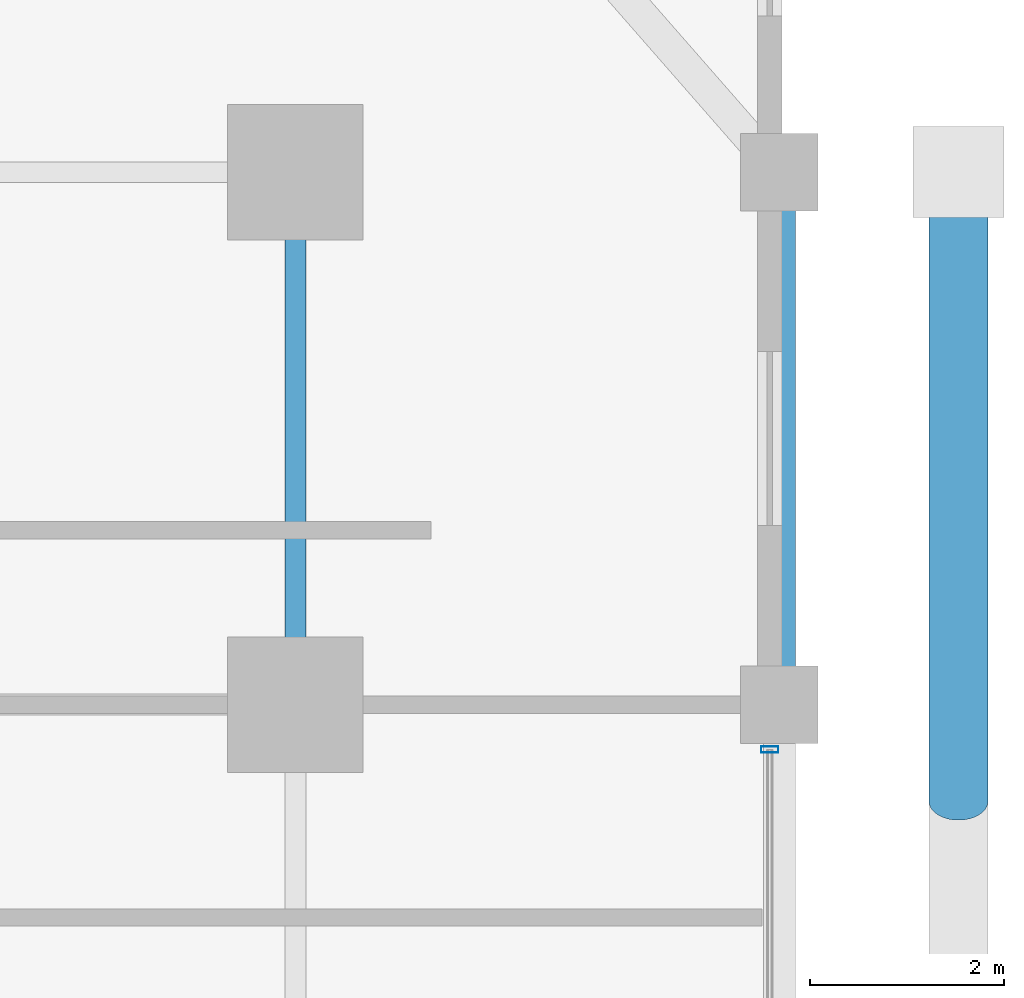
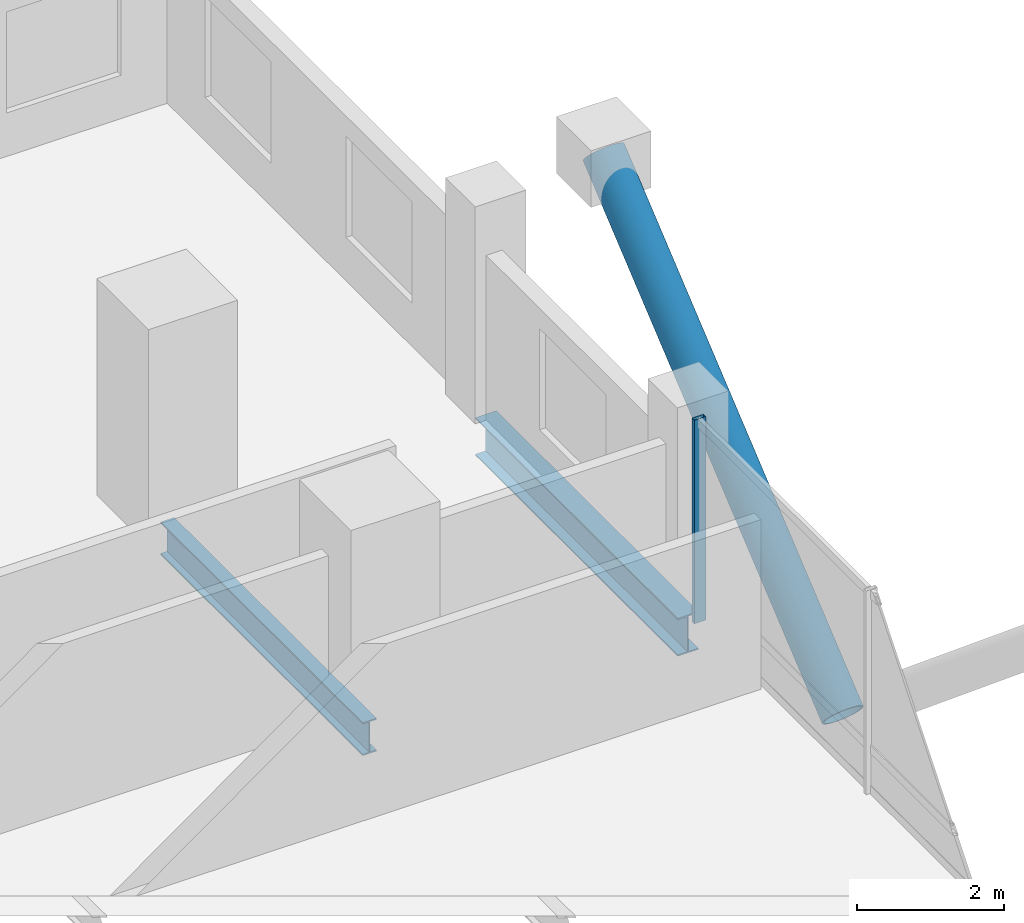
# One storey, part 15 of 21: 2 beams, 2 members, 1 element without a shape of its own.
"""IFC4 building model written with IfcOpenShell, lengths in metres."""

import ifcopenshell
import ifcopenshell.guid

model = None  # the IFC model being written
_history = None  # IfcOwnerHistory: only IFC2X3 demands one
_inside = {}  # id of a spatial element -> (the spatial element, [elements in it])
_under = {}  # id of a project, library or spatial element -> (it, [spatial elements below it])
_declared = {}  # id of a project -> (the project, [libraries it declares])
_typed = {}  # id of a type object -> (the type object, [elements of that type])
_made_of = {}  # id of a material, layer set ... -> (it, [elements and type objects made of it])


def new_model(schema):
    """Start an empty IFC model of exactly this schema.

    Asked for "IFC4X3", IfcOpenShell would pick the latest addendum, in which some entities
    have other attributes; the version numbers below select the first issue.
    IFC2X3 requires an IfcOwnerHistory on every rooted entity: one is made here for all.
    """
    global model, _history
    if schema == "IFC4X3":
        model = ifcopenshell.file(schema_version=(4, 3, 0, 0))
    else:
        model = ifcopenshell.file(schema=schema)
    _inside.clear()
    _under.clear()
    _declared.clear()
    _typed.clear()
    _made_of.clear()
    _history = None
    if model.schema == "IFC2X3":
        org = make("IfcOrganization", Name="unknown")
        user = make(
            "IfcPersonAndOrganization",
            ThePerson=make("IfcPerson", FamilyName="unknown"),
            TheOrganization=org,
        )
        app = make(
            "IfcApplication",
            ApplicationDeveloper=org,
            Version="unknown",
            ApplicationFullName="unknown",
            ApplicationIdentifier="unknown",
        )
        _history = make(
            "IfcOwnerHistory",
            OwningUser=user,
            OwningApplication=app,
            ChangeAction="ADDED",
            CreationDate=0,
        )
    return model


def make(cls, **values):
    """One entity of the class cls with the attributes given. An attribute that is None is left unset."""
    return model.create_entity(
        cls, **{name: value for name, value in values.items() if value is not None}
    )


def rooted(cls, **values):
    """An entity with a GlobalId (a new one), such as an element, a storey or a relation."""
    return make(cls, GlobalId=ifcopenshell.guid.new(), OwnerHistory=_history, **values)


def si_unit(unit_type, name, prefix=None):
    """IfcSIUnit, for example si_unit("LENGTHUNIT", "METRE", prefix="MILLI")."""
    return make("IfcSIUnit", UnitType=unit_type, Prefix=prefix, Name=name)


def assignment(units):
    """IfcUnitAssignment: the units of a project."""
    return None if units is None else make("IfcUnitAssignment", Units=units)


def point(xyz):
    """IfcCartesianPoint."""
    return None if xyz is None else make("IfcCartesianPoint", Coordinates=xyz)


def direction(xyz):
    """IfcDirection."""
    return None if xyz is None else make("IfcDirection", DirectionRatios=xyz)


def frame(location, z_axis=None, x_axis=None):
    """IfcAxis2Placement3D, a coordinate frame: its origin and axes. An axis left out is left unset."""
    return make(
        "IfcAxis2Placement3D",
        Location=point(location),
        Axis=direction(z_axis),
        RefDirection=direction(x_axis),
    )


def frame_2d(location, x_axis=None):
    """IfcAxis2Placement2D, a coordinate frame in the plane: its origin and x axis."""
    return make(
        "IfcAxis2Placement2D", Location=point(location), RefDirection=direction(x_axis)
    )


def origin():
    """The frame at (0, 0, 0) with its axes left unset."""
    return frame((0.0, 0.0, 0.0))


def origin_2d():
    """The frame at (0, 0) in the plane with its x axis left unset."""
    return frame_2d((0.0, 0.0))


def place(relative_to, where):
    """IfcLocalPlacement: puts the frame where relative to a parent placement (None: the world)."""
    return make(
        "IfcLocalPlacement", PlacementRelTo=relative_to, RelativePlacement=where
    )


def context(
    kind, dimensions, precision=None, world=None, true_north=None, identifier=None
):
    """IfcGeometricRepresentationContext, for example the 3D "Model" context."""
    return make(
        "IfcGeometricRepresentationContext",
        ContextIdentifier=identifier,
        ContextType=kind,
        CoordinateSpaceDimension=dimensions,
        Precision=precision,
        WorldCoordinateSystem=world,
        TrueNorth=true_north,
    )


def subcontext(parent, identifier, kind, view, scale=None):
    """IfcGeometricRepresentationSubContext, for example "Body" below "Model"."""
    return make(
        "IfcGeometricRepresentationSubContext",
        ContextIdentifier=identifier,
        ContextType=kind,
        ParentContext=parent,
        TargetScale=scale,
        TargetView=view,
    )


def project(units=None, contexts=None):
    """IfcProject with its units and contexts."""
    return rooted(
        "IfcProject",
        Name="project",
        RepresentationContexts=contexts,
        UnitsInContext=assignment(units),
    )


def spatial(cls, under=None, at=None, **own):
    """A site, building, storey or space (cls), placed at a placement, below another one or the project."""
    s = rooted(cls, ObjectPlacement=at, **own)
    if under is not None:
        _under.setdefault(under.id(), (under, []))[1].append(s)
    return s


def profile(cls, at=None, kind="AREA", **sizes):
    """A parametric profile (cls). Its sizes go by their IFC names, for example OverallWidth=200.0."""
    return make(cls, ProfileType=kind, Position=at, **sizes)


def hollow_rectangle(**sizes):
    """IfcRectangleHollowProfileDef."""
    return profile("IfcRectangleHollowProfileDef", **sizes)


def hollow_circle(**sizes):
    """IfcCircleHollowProfileDef."""
    return profile("IfcCircleHollowProfileDef", **sizes)


def i_section(**sizes):
    """IfcIShapeProfileDef."""
    return profile("IfcIShapeProfileDef", **sizes)


def extrude(swept, where, along, depth):
    """IfcExtrudedAreaSolid: the profile swept, set in the frame where, extruded along a direction by depth."""
    return make(
        "IfcExtrudedAreaSolid",
        SweptArea=swept,
        Position=where,
        ExtrudedDirection=direction(along),
        Depth=depth,
    )


def shape(context_of_items, identifier, shape_type, items):
    """IfcShapeRepresentation: the items that make up one representation, for example the "Body"."""
    return make(
        "IfcShapeRepresentation",
        ContextOfItems=context_of_items,
        RepresentationIdentifier=identifier,
        RepresentationType=shape_type,
        Items=items,
    )


def material(Name=None, Category=None):
    """IfcMaterial."""
    return make("IfcMaterial", Name=Name, Category=Category)


def layer(
    of_material, thickness, ventilated=None, Name=None, Category=None, Priority=None
):
    """IfcMaterialLayer: one layer of a wall or slab, of a material (None: an air gap)."""
    return make(
        "IfcMaterialLayer",
        Material=of_material,
        LayerThickness=thickness,
        IsVentilated=ventilated,
        Name=Name,
        Category=Category,
        Priority=Priority,
    )


def layer_set(layers, Name=None):
    """IfcMaterialLayerSet."""
    return make("IfcMaterialLayerSet", MaterialLayers=layers, LayerSetName=Name)


def material_profile(
    of_material, cross_section, Name=None, Category=None, Priority=None
):
    """IfcMaterialProfile: a cross section and its material."""
    return make(
        "IfcMaterialProfile",
        Name=Name,
        Material=of_material,
        Profile=cross_section,
        Priority=Priority,
        Category=Category,
    )


def profile_set(profiles, Name=None, composite=None):
    """IfcMaterialProfileSet."""
    return make(
        "IfcMaterialProfileSet",
        Name=Name,
        MaterialProfiles=profiles,
        CompositeProfile=composite,
    )


def made_of(thing, what):
    """Note that an element or type object is made of a material, layer set ...; save() writes the relation."""
    if what is not None:
        _made_of.setdefault(what.id(), (what, []))[1].append(thing)
    return thing


def type_object(cls, material=None, **own):
    """A type object (cls), such as IfcWallType, which elements share."""
    return made_of(rooted(cls, **own), material)


def element(
    cls,
    number,
    at=None,
    inside=None,
    cuts=None,
    type_object=None,
    material=None,
    context=None,
    identifier="Body",
    shape_type=None,
    held_by="IfcProductDefinitionShape",
    body=None,
    shapes=None,
    **own,
):
    """One element of the class cls, such as IfcWall. Its Tag is "e" and its number.

    at: its placement. inside: the storey or other place that contains it. cuts: it is an
    opening in that element (IfcRelVoidsElement). A single representation is given by context,
    identifier, shape_type and body (its items); several are given by shapes. held_by: the class
    of the entity that holds the representations. save() writes the other relations.
    """
    e = rooted(cls, Tag="e%d" % number, ObjectPlacement=at, **own)
    if body is not None:
        shapes = [shape(context, identifier, shape_type, body)]
    if shapes is not None:
        e.Representation = make(held_by, Representations=shapes)
    if inside is not None:
        _inside.setdefault(inside.id(), (inside, []))[1].append(e)
    if cuts is not None:
        rooted(
            "IfcRelVoidsElement", RelatingBuildingElement=cuts, RelatedOpeningElement=e
        )
    if type_object is not None:
        _typed.setdefault(type_object.id(), (type_object, []))[1].append(e)
    return made_of(e, material)


def aggregate(whole, parts):
    """IfcRelAggregates: a whole, such as a stair, and the parts it consists of."""
    return rooted("IfcRelAggregates", RelatingObject=whole, RelatedObjects=parts)


def save(model, path):
    """Write the relations noted so far, then the file.

    IfcRelAggregates (storeys below a building ...), IfcRelContainedInSpatialStructure (elements
    in a storey), IfcRelDefinesByType, IfcRelAssociatesMaterial and IfcRelDeclares: one each for
    every whole, place, type object, material and project.
    """
    for whole, parts in _under.values():
        aggregate(whole, parts)
    for where, things in _inside.values():
        rooted(
            "IfcRelContainedInSpatialStructure",
            RelatedElements=things,
            RelatingStructure=where,
        )
    for kind, things in _typed.values():
        rooted("IfcRelDefinesByType", RelatedObjects=things, RelatingType=kind)
    for what, things in _made_of.values():
        rooted("IfcRelAssociatesMaterial", RelatedObjects=things, RelatingMaterial=what)
    for by, libraries in _declared.values():
        rooted("IfcRelDeclares", RelatingContext=by, RelatedDefinitions=libraries)
    model.write(path)


model = new_model("IFC4")

# Units and contexts
model_context = context("Model", 3, precision=1e-05, world=origin(), true_north=direction((0.0, 1.0)))
body_context = subcontext(model_context, "Body", "Model", "MODEL_VIEW")
ifc_project = project(units=[si_unit("LENGTHUNIT", "METRE"), si_unit("AREAUNIT", "SQUARE_METRE"), si_unit("VOLUMEUNIT", "CUBIC_METRE"), si_unit("PLANEANGLEUNIT", "RADIAN"), si_unit("MASSUNIT", "GRAM", prefix="KILO")], contexts=[model_context])

# Site, building, storey
site_placement = place(None, origin())
site = spatial("IfcSite", under=ifc_project, at=site_placement, CompositionType="ELEMENT")
building_placement = place(site_placement, origin())
building = spatial("IfcBuilding", under=site, at=building_placement, Name="Barlavira Tower and Art Museum", CompositionType="ELEMENT")
storey_placement = place(building_placement, frame((0.0, 0.0, 79.199951171875)))
storey = spatial("IfcBuildingStorey", under=building, at=storey_placement, Name="L19", CompositionType="ELEMENT", Elevation=79.199951171875)

# Curtain wall, member
ifc_material_1 = material(Name="Low-iron coastal laminated glass", Category="glass")
ifc_layer = layer(ifc_material_1, 0.179931640625, Name="Low-iron coastal laminated glass")
ifc_layer_set = layer_set([ifc_layer], Name="Low-iron coastal laminated glass")
curtain_wall_type = type_object("IfcCurtainWallType", Name="Pale-Metal Unitised Curtain Wall Zone 1", PredefinedType="NOTDEFINED", material=ifc_layer_set)
curtain_wall_placement = place(storey_placement, origin())
curtain_wall = element("IfcCurtainWall", 1, at=curtain_wall_placement, inside=storey, type_object=curtain_wall_type, Name="L19 Curtain Wall CW1-L19-E-B3", PredefinedType="NOTDEFINED")
ifc_material_2 = material(Name="Pale anodised aluminium", Category="aluminium")
ifc_material_profile_1 = material_profile(ifc_material_2, hollow_rectangle(XDim=0.06494140625, YDim=0.179931640625, WallThickness=0.00390625, at=origin_2d()), Name="ALU-MULL 65x180x4")
ifc_profile_set_1 = profile_set([ifc_material_profile_1], Name="Pale anodised aluminium")
member_type_1 = type_object("IfcMemberType", Name="Curtain Wall Pale-Metal Mullion 65x180", PredefinedType="MULLION", material=ifc_profile_set_1)
member_1_placement = place(storey_placement, frame((21.89990234375, 7.034912109375, 0.0), z_axis=(0.0, 0.0, 1.0), x_axis=(0.0, 1.0, 0.0)))
member_1 = element("IfcMember", 2, at=member_1_placement, type_object=member_type_1, Name="CW1-L19-E-B3 Mullion 3", PredefinedType="MULLION", context=body_context, shape_type="SweptSolid", body=[
    extrude(hollow_rectangle(XDim=0.06494140625, YDim=0.179931640625, WallThickness=0.00390625, at=origin_2d()), origin(), (0.0, 0.0, 1.0), 3.380126953125),
])
aggregate(curtain_wall, [member_1])

# Member
ifc_material_3 = material(Name="Steel S355", Category="steel")
ifc_material_profile_2 = material_profile(ifc_material_3, hollow_circle(Radius=0.304931640625, WallThickness=0.028076171875, at=origin_2d()), Name="CHS 610.0x28.0")
ifc_profile_set_2 = profile_set([ifc_material_profile_2], Name="Steel S355")
member_type_2 = type_object("IfcMemberType", Name="Pale-Metal Exoskeleton Diagrid Tube CHS 610x28 Steel S355", PredefinedType="BRACE", material=ifc_profile_set_2)
member_2_placement = place(storey_placement, frame((23.85009765625, 6.5, -1.919921875), z_axis=(0.0, 0.769196053329, 0.639012857104), x_axis=(-1.0, 0.0, 0.0)))
element("IfcMember", 3, at=member_2_placement, inside=storey, type_object=member_type_2, Name="L19 Exoskeleton Diagrid Tube E", PredefinedType="BRACE", context=body_context, shape_type="SweptSolid", body=[
    extrude(hollow_circle(Radius=0.304931640625, WallThickness=0.028076171875, at=origin_2d()), origin(), (0.0, 0.0, 1.0), 8.450439453125),
])

# Beams
ifc_material_profile_3 = material_profile(ifc_material_3, i_section(OverallWidth=0.327880859375, OverallDepth=0.62890625, WebThickness=0.013916015625, FlangeThickness=0.021484375, at=origin_2d()), Name="W610x174.0")
ifc_profile_set_3 = profile_set([ifc_material_profile_3], Name="Steel S355")
beam_type_1 = type_object("IfcBeamType", Name="Perimeter Spandrel Edge Beam W610x174 Steel S355", PredefinedType="SPANDREL", material=ifc_profile_set_3)
beam_1_placement = place(storey_placement, frame((22.0, 7.5, -0.534423828125), z_axis=(0.0, 1.0, 0.0), x_axis=(-1.0, 0.0, 0.0)))
element("IfcBeam", 4, at=beam_1_placement, inside=storey, type_object=beam_type_1, Name="L19 Spandrel 7", PredefinedType="SPANDREL", context=body_context, shape_type="SweptSolid", body=[
    extrude(i_section(OverallWidth=0.327880859375, OverallDepth=0.62890625, WebThickness=0.013916015625, FlangeThickness=0.021484375, at=origin_2d()), origin(), (0.0, 0.0, 1.0), 5.5),
])
ifc_material_profile_4 = material_profile(ifc_material_3, i_section(OverallWidth=0.214111328125, OverallDepth=0.549072265625, WebThickness=0.0146484375, FlangeThickness=0.023681640625, at=origin_2d()), Name="W530x138.0")
ifc_profile_set_4 = profile_set([ifc_material_profile_4], Name="Steel S355")
beam_type_2 = type_object("IfcBeamType", Name="Zone 1 Primary Floor Girder W530x138 Steel S355", PredefinedType="BEAM", material=ifc_profile_set_4)
beam_2_placement = place(storey_placement, frame((17.0, 7.5, -0.494384765625), z_axis=(0.0, 1.0, 0.0), x_axis=(-1.0, 0.0, 0.0)))
element("IfcBeam", 5, at=beam_2_placement, inside=storey, type_object=beam_type_2, Name="L19 Girder M-E3", PredefinedType="BEAM", context=body_context, shape_type="SweptSolid", body=[
    extrude(i_section(OverallWidth=0.214111328125, OverallDepth=0.549072265625, WebThickness=0.0146484375, FlangeThickness=0.023681640625, at=origin_2d()), origin(), (0.0, 0.0, 1.0), 5.5),
])

save(model, "model.ifc")
